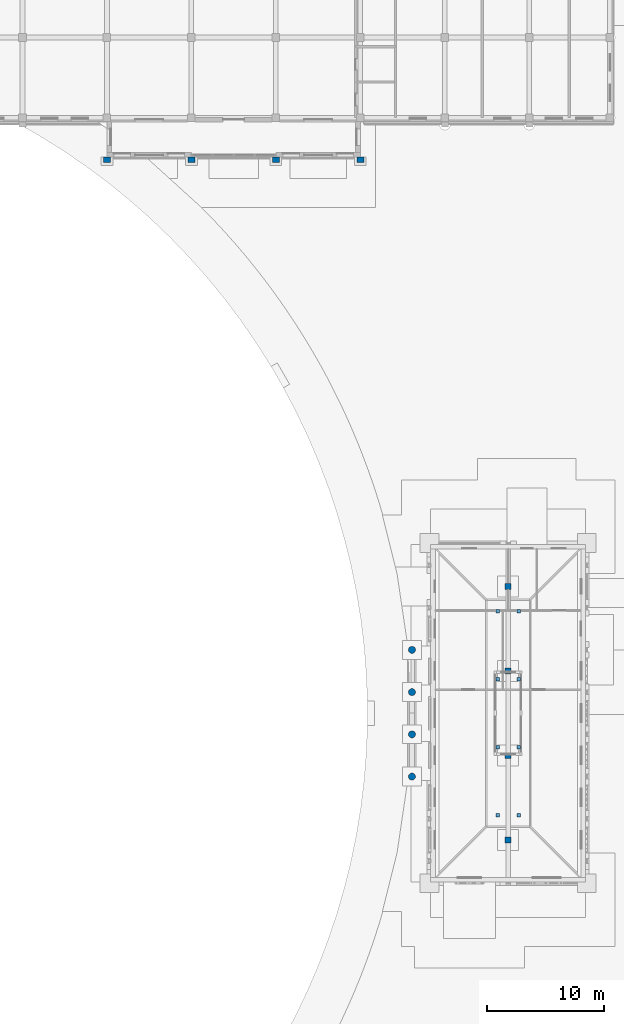
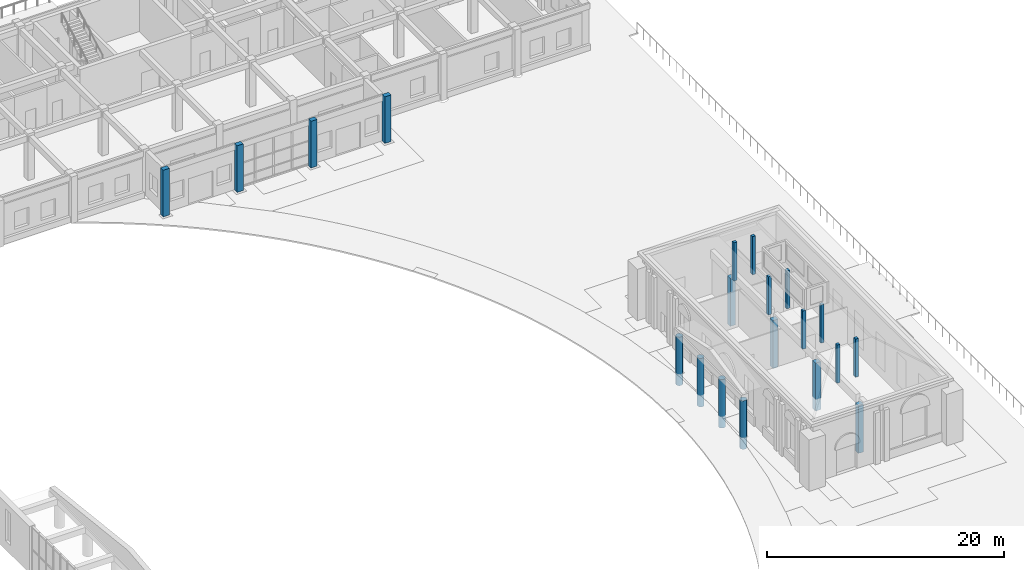
# One storey, part 27 of 131: 20 columns.
"""IFC4 building model written with IfcOpenShell, lengths in metres."""

from ifc_helpers import new_model, si_unit, direction, frame, origin, origin_2d, place, context, subcontext, project, spatial, rectangle, circle, extrude, material, material_profile, profile_set, type_object, element, save


model = new_model("IFC4")

# Units and contexts
model_context = context("Model", 3, precision=1e-05, world=origin(), true_north=direction((0.0, 1.0)))
body_context = subcontext(model_context, "Body", "Model", "MODEL_VIEW")
ifc_project = project(units=[si_unit("LENGTHUNIT", "METRE"), si_unit("AREAUNIT", "SQUARE_METRE"), si_unit("VOLUMEUNIT", "CUBIC_METRE"), si_unit("PLANEANGLEUNIT", "RADIAN"), si_unit("MASSUNIT", "GRAM", prefix="KILO")], contexts=[model_context])

# Site, building, storey
site_placement = place(None, origin())
site = spatial("IfcSite", under=ifc_project, at=site_placement, CompositionType="ELEMENT")
building_placement = place(site_placement, origin())
building = spatial("IfcBuilding", under=site, at=building_placement, Name="Alderwick Market Hall", CompositionType="ELEMENT")
storey_placement = place(building_placement, frame((0.0, 0.0, 4.800048828125)))
storey = spatial("IfcBuildingStorey", under=building, at=storey_placement, Name="L00", CompositionType="ELEMENT", Elevation=4.800048828125)

# Columns
ifc_material = material(Name="Concrete 5000 psi (f'c 35 MPa)", Category="concrete")
ifc_material_profile_1 = material_profile(ifc_material, rectangle(XDim=0.60009765625, YDim=0.449951171875, at=origin_2d()), Name="PC 600x450")
ifc_profile_set_1 = profile_set([ifc_material_profile_1], Name="Concrete 5000 psi (f'c 35 MPa)")
column_type_1 = type_object("IfcColumnType", Name="F Pilaster Precast Concrete 600x450", PredefinedType="PILASTER", material=ifc_profile_set_1)
for number, where, z_axis, x_axis, name in (
    (1, (187.199951171875, 126.375, 0.0), (0.0, 0.0, 1.0), (1.0, 0.0, 0.0), "F.pilaster.L00.pav1.01"),
    (2, (194.39990234375, 126.375, 0.0), (0.0, 0.0, 1.0), (1.0, 0.0, 0.0), "F.pilaster.L00.pav1.02"),
    (3, (201.60009765625, 126.375, 0.0), (0.0, 0.0, 1.0), (1.0, 0.0, 0.0), "F.pilaster.L00.pav1.03"),
    (4, (208.800048828125, 126.375, 0.0), (0.0, 0.0, 1.0), (1.0, 0.0, 0.0), "F.pilaster.L00.pav1.04"),
):
    element("IfcColumn", number, at=place(storey_placement, frame(where, z_axis=z_axis, x_axis=x_axis)), inside=storey, type_object=column_type_1, Name=name, PredefinedType="PILASTER", context=body_context, shape_type="SweptSolid", body=[
        extrude(rectangle(XDim=0.60009765625, YDim=0.449951171875, at=origin_2d()), origin(), (0.0, 0.0, 1.0), 4.800048828125),
    ])
ifc_material_profile_2 = material_profile(ifc_material, rectangle(XDim=0.5, YDim=0.5, at=origin_2d()), Name="RC 500x500")
ifc_profile_set_2 = profile_set([ifc_material_profile_2], Name="Concrete 5000 psi (f'c 35 MPa)")
column_type_2 = type_object("IfcColumnType", Name="G Column 500x500", PredefinedType="COLUMN", material=ifc_profile_set_2)
for number, where, z_axis, x_axis, name in (
    (5, (221.39990234375, 68.39990234375, -1.199951171875), (0.0, 0.0, 1.0), (1.0, 0.0, 0.0), "Column 1"),
    (6, (221.39990234375, 75.60009765625, -1.199951171875), (0.0, 0.0, 1.0), (1.0, 0.0, 0.0), "Column 2"),
    (7, (221.39990234375, 82.800048828125, -1.199951171875), (0.0, 0.0, 1.0), (1.0, 0.0, 0.0), "Column 3"),
    (8, (221.39990234375, 90.0, -1.199951171875), (0.0, 0.0, 1.0), (1.0, 0.0, 0.0), "Column 4"),
):
    element("IfcColumn", number, at=place(storey_placement, frame(where, z_axis=z_axis, x_axis=x_axis)), inside=storey, type_object=column_type_2, Name=name, PredefinedType="COLUMN", context=body_context, shape_type="SweptSolid", body=[
        extrude(rectangle(XDim=0.5, YDim=0.5, at=origin_2d()), origin(), (0.0, 0.0, 1.0), 4.949951171875),
    ])
ifc_material_profile_3 = material_profile(ifc_material, rectangle(XDim=0.300048828125, YDim=0.300048828125, at=origin_2d()), Name="RC 300x300")
ifc_profile_set_3 = profile_set([ifc_material_profile_3], Name="Concrete 5000 psi (f'c 35 MPa)")
column_type_3 = type_object("IfcColumnType", Name="G Crown post 300x300", PredefinedType="COLUMN", material=ifc_profile_set_3)
for number, where, z_axis, x_axis, name in (
    (9, (220.5, 70.5, 4.969970703125), (0.0, 0.0, 1.0), (1.0, 0.0, 0.0), "Crown post 11"),
    (10, (220.5, 76.300048828125, 4.969970703125), (0.0, 0.0, 1.0), (1.0, 0.0, 0.0), "Crown post 12"),
    (11, (220.5, 82.10009765625, 4.969970703125), (0.0, 0.0, 1.0), (1.0, 0.0, 0.0), "Crown post 13"),
    (12, (220.5, 87.89990234375, 4.969970703125), (0.0, 0.0, 1.0), (1.0, 0.0, 0.0), "Crown post 14"),
    (13, (222.300048828125, 70.5, 4.969970703125), (0.0, 0.0, 1.0), (1.0, 0.0, 0.0), "Crown post 21"),
    (14, (222.300048828125, 76.300048828125, 4.969970703125), (0.0, 0.0, 1.0), (1.0, 0.0, 0.0), "Crown post 22"),
    (15, (222.300048828125, 82.10009765625, 4.969970703125), (0.0, 0.0, 1.0), (1.0, 0.0, 0.0), "Crown post 23"),
    (16, (222.300048828125, 87.89990234375, 4.969970703125), (0.0, 0.0, 1.0), (1.0, 0.0, 0.0), "Crown post 24"),
):
    element("IfcColumn", number, at=place(storey_placement, frame(where, z_axis=z_axis, x_axis=x_axis)), inside=storey, type_object=column_type_3, Name=name, PredefinedType="COLUMN", context=body_context, shape_type="SweptSolid", body=[
        extrude(rectangle(XDim=0.300048828125, YDim=0.300048828125, at=origin_2d()), origin(), (0.0, 0.0, 1.0), 3.931396484375),
    ])
ifc_material_profile_4 = material_profile(ifc_material, circle(Radius=0.300048828125, at=origin_2d()), Name="RC D600")
ifc_profile_set_4 = profile_set([ifc_material_profile_4], Name="Concrete 5000 psi (f'c 35 MPa)")
column_type_4 = type_object("IfcColumnType", Name="G Portico column D600", PredefinedType="COLUMN", material=ifc_profile_set_4)
for number, where, z_axis, x_axis, name in (
    (17, (213.199951171875, 73.800048828125, -1.199951171875), (0.0, 0.0, 1.0), (1.0, 0.0, 0.0), "Portico column 1"),
    (18, (213.199951171875, 77.39990234375, -1.199951171875), (0.0, 0.0, 1.0), (1.0, 0.0, 0.0), "Portico column 2"),
    (19, (213.199951171875, 81.0, -1.199951171875), (0.0, 0.0, 1.0), (1.0, 0.0, 0.0), "Portico column 3"),
    (20, (213.199951171875, 84.60009765625, -1.199951171875), (0.0, 0.0, 1.0), (1.0, 0.0, 0.0), "Portico column 4"),
):
    element("IfcColumn", number, at=place(storey_placement, frame(where, z_axis=z_axis, x_axis=x_axis)), inside=storey, type_object=column_type_4, Name=name, PredefinedType="COLUMN", context=body_context, shape_type="SweptSolid", body=[
        extrude(circle(Radius=0.300048828125, at=origin_2d()), origin(), (0.0, 0.0, 1.0), 5.0),
    ])

save(model, "model.ifc")
